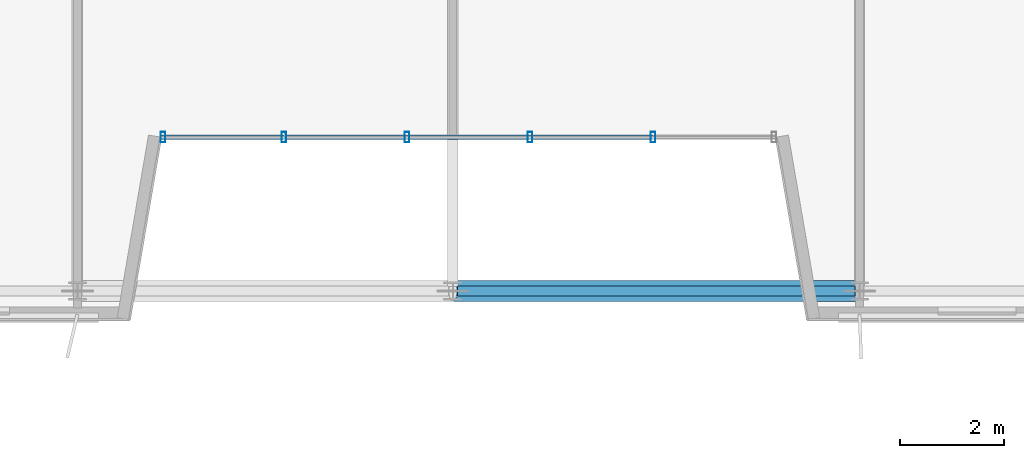
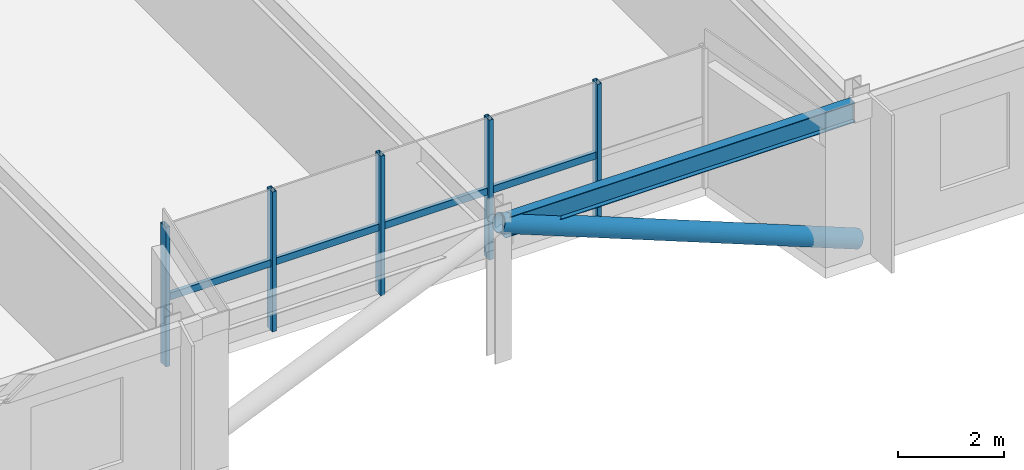
# One storey, part 6 of 27: 10 members, 1 beam, 1 element without a shape of its own.
"""IFC4 building model written with IfcOpenShell, lengths in metres."""

from ifc_helpers import new_model, si_unit, direction, frame, origin, origin_2d, place, context, subcontext, project, spatial, hollow_rectangle, hollow_circle, i_section, extrude, source, transform, mapped, material, material_profile, profile_set, type_object, element, aggregate, save


model = new_model("IFC4")

# Units and contexts
model_context = context("Model", 3, precision=1e-05, world=origin(), true_north=direction((0.0, 1.0)))
body_context = subcontext(model_context, "Body", "Model", "MODEL_VIEW")
ifc_project = project(units=[si_unit("LENGTHUNIT", "METRE"), si_unit("AREAUNIT", "SQUARE_METRE"), si_unit("VOLUMEUNIT", "CUBIC_METRE"), si_unit("PLANEANGLEUNIT", "RADIAN"), si_unit("MASSUNIT", "GRAM", prefix="KILO")], contexts=[model_context])

# Site, building, storey
site_placement = place(None, origin())
site = spatial("IfcSite", under=ifc_project, at=site_placement, CompositionType="ELEMENT")
building_placement = place(site_placement, origin())
building = spatial("IfcBuilding", under=site, at=building_placement, Name="Trelvane Seafront Commons", CompositionType="ELEMENT")
storey_placement = place(building_placement, frame((0.0, 0.0, 237.300048828125)))
storey = spatial("IfcBuildingStorey", under=building, at=storey_placement, Name="L62", CompositionType="ELEMENT", Elevation=237.300048828125)

# Beam
ifc_material_1 = material(Name="Steel SM355 (S355)", Category="steel")
ifc_material_profile_1 = material_profile(ifc_material_1, i_section(OverallWidth=0.199951171875, OverallDepth=0.449951171875, WebThickness=0.009033203125, FlangeThickness=0.013916015625, at=origin_2d()), Name="H-450x200x9x14")
ifc_profile_set_1 = profile_set([ifc_material_profile_1], Name="Steel SM355 (S355)")
beam_type = type_object("IfcBeamType", Name="STR-SPD-H450", PredefinedType="SPANDREL", material=ifc_profile_set_1)
shared_shape_1 = source(origin(), body_context, "Body", "SweptSolid", [
    extrude(i_section(OverallWidth=0.199951171875, OverallDepth=0.449951171875, WebThickness=0.009033203125, FlangeThickness=0.013916015625, at=origin_2d()), origin(), (0.0, 0.0, 1.0), 7.625),
])
beam_placement = place(storey_placement, frame((51.08740234375, 3.949951171875, 2.994873046875), z_axis=(1.0, 0.0, 0.0), x_axis=(0.0, 1.0, 0.0)))
element("IfcBeam", 1, at=beam_placement, inside=storey, type_object=beam_type, Name="L62 Primary Girder G-06", PredefinedType="SPANDREL", context=body_context, shape_type="MappedRepresentation", body=[
    mapped(shared_shape_1, transform((0.0, 0.0, 0.0), x_axis=(1.0, 0.0, 0.0), y_axis=(0.0, 1.0, 0.0), z_axis=(0.0, 0.0, 1.0), scale=1.0)),
])

# Member
ifc_material_profile_2 = material_profile(ifc_material_1, hollow_circle(Radius=0.203125, WallThickness=0.01611328125, at=origin_2d()), Name="CHS-406.4x16")
ifc_profile_set_2 = profile_set([ifc_material_profile_2], Name="Steel SM355 (S355)")
member_type_1 = type_object("IfcMemberType", Name="STR-STR-CHS406", PredefinedType="STRUT", material=ifc_profile_set_2)
shared_shape_2 = source(origin(), body_context, "Body", "SweptSolid", [
    extrude(hollow_circle(Radius=0.203125, WallThickness=0.01611328125, at=origin_2d()), origin(), (0.0, 0.0, 1.0), 8.3935546875),
])
member_1_placement = place(storey_placement, frame((58.800048828125, 3.949951171875, 0.0), z_axis=(-0.929302860765, 0.0, 0.369318552166), x_axis=(0.0, -1.0, 0.0)))
element("IfcMember", 2, at=member_1_placement, inside=storey, type_object=member_type_1, Name="L62 Sky-Garden V-Chevron Brace SGV-E", PredefinedType="STRUT", context=body_context, shape_type="MappedRepresentation", body=[
    mapped(shared_shape_2, transform((0.0, 0.0, 0.0), x_axis=(1.0, 0.0, 0.0), y_axis=(0.0, 1.0, 0.0), z_axis=(0.0, 0.0, 1.0), scale=1.0)),
])

# Curtain wall, members
ifc_material_2 = material(Name="Anodised pale-silver aluminium", Category="aluminium")
curtain_wall_type = type_object("IfcCurtainWallType", Name="ARCH-CW3-PORTAL", PredefinedType="NOTDEFINED", material=ifc_material_2)
curtain_wall_placement = place(storey_placement, origin())
curtain_wall = element("IfcCurtainWall", 3, at=curtain_wall_placement, inside=storey, type_object=curtain_wall_type, Name="CW-L62-VN-0107", PredefinedType="NOTDEFINED")
ifc_material_profile_3 = material_profile(ifc_material_2, hollow_rectangle(XDim=0.080078125, YDim=0.159912109375, WallThickness=0.00439453125, at=origin_2d()), Name="TRAN-80x160x4.5")
ifc_profile_set_3 = profile_set([ifc_material_profile_3], Name="Anodised pale-silver aluminium")
member_type_2 = type_object("IfcMemberType", Name="ARCH-CW-TRAN-160", PredefinedType="USERDEFINED", material=ifc_profile_set_3)
shared_shape_3 = source(origin(), body_context, "Body", "SweptSolid", [
    extrude(hollow_rectangle(XDim=0.080078125, YDim=0.159912109375, WallThickness=0.00439453125, at=origin_2d()), origin(), (0.0, 0.0, 1.0), 2.3359375),
])
member_2_placement = place(storey_placement, frame((54.827880859375, 6.89990234375, 1.5458984375), z_axis=(-1.0, 0.0, 0.0), x_axis=(0.0, -1.0, 0.0)))
member_2 = element("IfcMember", 4, at=member_2_placement, type_object=member_type_2, Name="CW-L62-VN-0107-T01", ObjectType="TRANSOM", PredefinedType="USERDEFINED", context=body_context, shape_type="MappedRepresentation", body=[
    mapped(shared_shape_3, transform((0.0, 0.0, 0.0), x_axis=(1.0, 0.0, 0.0), y_axis=(0.0, 1.0, 0.0), z_axis=(0.0, 0.0, 1.0), scale=1.0)),
])
member_3_placement = place(storey_placement, frame((52.468017578125, 6.89990234375, 1.5458984375), z_axis=(-1.0, 0.0, 0.0), x_axis=(0.0, -1.0, 0.0)))
member_3 = element("IfcMember", 5, at=member_3_placement, type_object=member_type_2, Name="CW-L62-VN-0107-T02", ObjectType="TRANSOM", PredefinedType="USERDEFINED", context=body_context, shape_type="MappedRepresentation", body=[
    mapped(shared_shape_3, transform((0.0, 0.0, 0.0), x_axis=(1.0, 0.0, 0.0), y_axis=(0.0, 1.0, 0.0), z_axis=(0.0, 0.0, 1.0), scale=1.0)),
])
member_4_placement = place(storey_placement, frame((50.10791015625, 6.89990234375, 1.5458984375), z_axis=(-1.0, 0.0, 0.0), x_axis=(0.0, -1.0, 0.0)))
member_4 = element("IfcMember", 6, at=member_4_placement, type_object=member_type_2, Name="CW-L62-VN-0107-T03", ObjectType="TRANSOM", PredefinedType="USERDEFINED", context=body_context, shape_type="MappedRepresentation", body=[
    mapped(shared_shape_3, transform((0.0, 0.0, 0.0), x_axis=(1.0, 0.0, 0.0), y_axis=(0.0, 1.0, 0.0), z_axis=(0.0, 0.0, 1.0), scale=1.0)),
])
member_5_placement = place(storey_placement, frame((47.748046875, 6.89990234375, 1.5458984375), z_axis=(-1.0, 0.0, 0.0), x_axis=(0.0, -1.0, 0.0)))
member_5 = element("IfcMember", 7, at=member_5_placement, type_object=member_type_2, Name="CW-L62-VN-0107-T04", ObjectType="TRANSOM", PredefinedType="USERDEFINED", context=body_context, shape_type="MappedRepresentation", body=[
    mapped(shared_shape_3, transform((0.0, 0.0, 0.0), x_axis=(1.0, 0.0, 0.0), y_axis=(0.0, 1.0, 0.0), z_axis=(0.0, 0.0, 1.0), scale=1.0)),
])
ifc_material_profile_4 = material_profile(ifc_material_2, hollow_rectangle(XDim=0.090087890625, YDim=0.199951171875, WallThickness=0.0048828125, at=origin_2d()), Name="MULL-90x200x5")
ifc_profile_set_4 = profile_set([ifc_material_profile_4], Name="Anodised pale-silver aluminium")
member_type_3 = type_object("IfcMemberType", Name="ARCH-CW-MULL-200", PredefinedType="MULLION", material=ifc_profile_set_4)
shared_shape_4 = source(origin(), body_context, "Body", "SweptSolid", [
    extrude(hollow_rectangle(XDim=0.090087890625, YDim=0.199951171875, WallThickness=0.0048828125, at=origin_2d()), origin(), (0.0, 0.0, 1.0), 3.219970703125),
])
member_6_placement = place(storey_placement, frame((54.840087890625, 6.89990234375, 0.0), z_axis=(0.0, 0.0, 1.0), x_axis=(1.0, 0.0, 0.0)))
member_6 = element("IfcMember", 8, at=member_6_placement, type_object=member_type_3, Name="CW-L62-VN-0107-M01", PredefinedType="MULLION", context=body_context, shape_type="MappedRepresentation", body=[
    mapped(shared_shape_4, transform((0.0, 0.0, 0.0), x_axis=(1.0, 0.0, 0.0), y_axis=(0.0, 1.0, 0.0), z_axis=(0.0, 0.0, 1.0), scale=1.0)),
])
member_7_placement = place(storey_placement, frame((52.47998046875, 6.89990234375, 0.0), z_axis=(0.0, 0.0, 1.0), x_axis=(1.0, 0.0, 0.0)))
member_7 = element("IfcMember", 9, at=member_7_placement, type_object=member_type_3, Name="CW-L62-VN-0107-M02", PredefinedType="MULLION", context=body_context, shape_type="MappedRepresentation", body=[
    mapped(shared_shape_4, transform((0.0, 0.0, 0.0), x_axis=(1.0, 0.0, 0.0), y_axis=(0.0, 1.0, 0.0), z_axis=(0.0, 0.0, 1.0), scale=1.0)),
])
member_8_placement = place(storey_placement, frame((50.1201171875, 6.89990234375, 0.0), z_axis=(0.0, 0.0, 1.0), x_axis=(1.0, 0.0, 0.0)))
member_8 = element("IfcMember", 10, at=member_8_placement, type_object=member_type_3, Name="CW-L62-VN-0107-M03", PredefinedType="MULLION", context=body_context, shape_type="MappedRepresentation", body=[
    mapped(shared_shape_4, transform((0.0, 0.0, 0.0), x_axis=(1.0, 0.0, 0.0), y_axis=(0.0, 1.0, 0.0), z_axis=(0.0, 0.0, 1.0), scale=1.0)),
])
member_9_placement = place(storey_placement, frame((47.760009765625, 6.89990234375, 0.0), z_axis=(0.0, 0.0, 1.0), x_axis=(1.0, 0.0, 0.0)))
member_9 = element("IfcMember", 11, at=member_9_placement, type_object=member_type_3, Name="CW-L62-VN-0107-M04", PredefinedType="MULLION", context=body_context, shape_type="MappedRepresentation", body=[
    mapped(shared_shape_4, transform((0.0, 0.0, 0.0), x_axis=(1.0, 0.0, 0.0), y_axis=(0.0, 1.0, 0.0), z_axis=(0.0, 0.0, 1.0), scale=1.0)),
])
member_10_placement = place(storey_placement, frame((45.43994140625, 6.89990234375, 0.0), z_axis=(0.0, 0.0, 1.0), x_axis=(1.0, 0.0, 0.0)))
member_10 = element("IfcMember", 12, at=member_10_placement, type_object=member_type_3, Name="CW-L62-VN-0107-M05", PredefinedType="MULLION", context=body_context, shape_type="MappedRepresentation", body=[
    mapped(shared_shape_4, transform((0.0, 0.0, 0.0), x_axis=(1.0, 0.0, 0.0), y_axis=(0.0, 1.0, 0.0), z_axis=(0.0, 0.0, 1.0), scale=1.0)),
])
aggregate(curtain_wall, [member_6, member_7, member_8, member_9, member_10, member_2, member_3, member_4, member_5])

save(model, "model.ifc")
